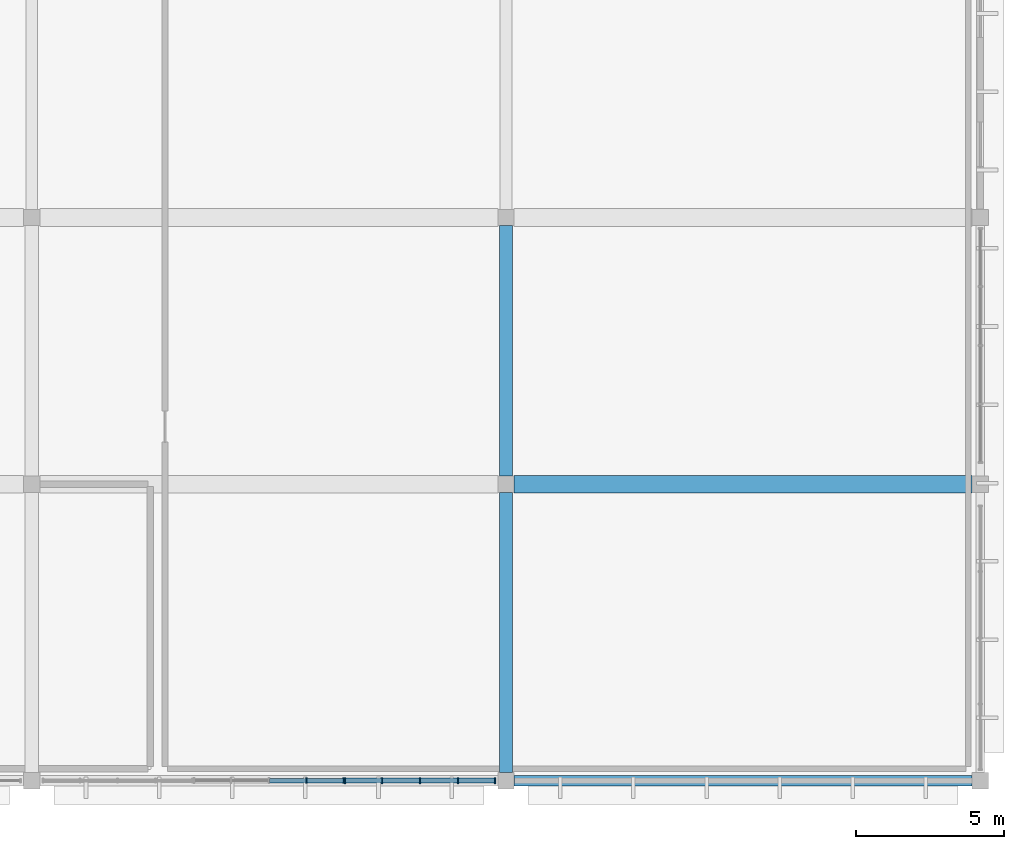
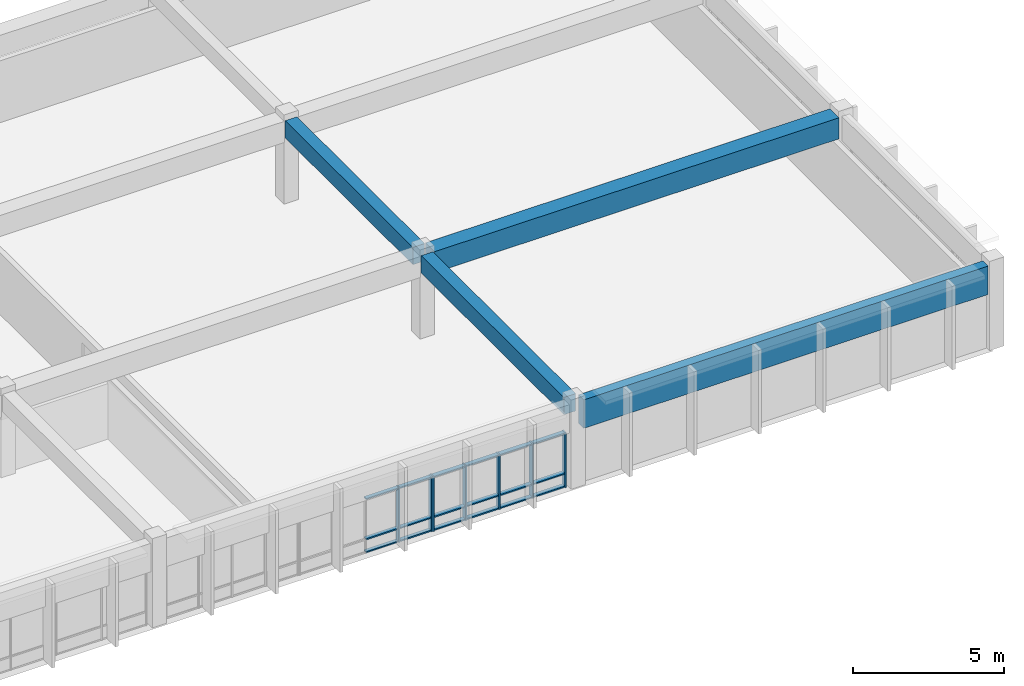
# One storey, part 33 of 77: 25 members, 4 beams, 2 elements without a shape of their own.
"""IFC4 building model written with IfcOpenShell, lengths in metres."""

from ifc_helpers import new_model, si_unit, direction, frame, origin, origin_2d, place, context, subcontext, project, spatial, rectangle, extrude, material, material_profile, profile_set, type_object, element, aggregate, save


model = new_model("IFC4")

# Units and contexts
model_context = context("Model", 3, precision=1e-05, world=origin(), true_north=direction((0.0, 1.0)))
body_context = subcontext(model_context, "Body", "Model", "MODEL_VIEW")
ifc_project = project(units=[si_unit("LENGTHUNIT", "METRE"), si_unit("AREAUNIT", "SQUARE_METRE"), si_unit("VOLUMEUNIT", "CUBIC_METRE"), si_unit("PLANEANGLEUNIT", "RADIAN"), si_unit("MASSUNIT", "GRAM", prefix="KILO")], contexts=[model_context])

# Site, building, storey
site_placement = place(None, origin())
site = spatial("IfcSite", under=ifc_project, at=site_placement, CompositionType="ELEMENT")
building_placement = place(site_placement, origin())
building = spatial("IfcBuilding", under=site, at=building_placement, Name="Larkveld Mobility Hub", CompositionType="ELEMENT")
storey_placement = place(building_placement, frame((0.0, 0.0, 12.0)))
storey = spatial("IfcBuildingStorey", under=building, at=storey_placement, Name="L03", CompositionType="ELEMENT", Elevation=12.0)

# Beams
ifc_material_1 = material(Name="Precast concrete C50/60", Category="concrete")
ifc_material_profile_1 = material_profile(ifc_material_1, rectangle(XDim=0.60009765625, YDim=0.85009765625, at=origin_2d()), Name="PC ITB 600x850")
ifc_profile_set_1 = profile_set([ifc_material_profile_1], Name="Precast concrete C50/60")
beam_type_1 = type_object("IfcBeamType", Name="BM-ITB6085", PredefinedType="T_BEAM", material=ifc_profile_set_1)
beam_1_placement = place(storey_placement, frame((168.27490234375, 10.0, 2.93505859375), z_axis=(1.0, 0.0, 0.0), x_axis=(0.0, 1.0, 0.0)))
element("IfcBeam", 1, at=beam_1_placement, inside=storey, type_object=beam_type_1, Name="Primary E-W Girder L03-0705", PredefinedType="T_BEAM", context=body_context, shape_type="SweptSolid", body=[
    extrude(rectangle(XDim=0.60009765625, YDim=0.85009765625, at=origin_2d()), origin(), (0.0, 0.0, 1.0), 15.4501953125),
])
ifc_material_2 = material(Name="Concrete C40/50", Category="concrete")
ifc_material_profile_2 = material_profile(ifc_material_2, rectangle(XDim=0.449951171875, YDim=0.699951171875, at=origin_2d()), Name="RC BM 450x700")
ifc_profile_set_2 = profile_set([ifc_material_profile_2], Name="Concrete C40/50")
beam_type_2 = type_object("IfcBeamType", Name="BM-RC4570", PredefinedType="BEAM", material=ifc_profile_set_2)
beam_2_placement = place(storey_placement, frame((168.0, 0.27490234375, 3.010009765625), z_axis=(0.0, 1.0, 0.0), x_axis=(-1.0, 0.0, 0.0)))
element("IfcBeam", 2, at=beam_2_placement, inside=storey, type_object=beam_type_2, Name="Primary N-S Girder L03-0849", PredefinedType="BEAM", context=body_context, shape_type="SweptSolid", body=[
    extrude(rectangle(XDim=0.449951171875, YDim=0.699951171875, at=origin_2d()), origin(), (0.0, 0.0, 1.0), 9.4501953125),
])
beam_3_placement = place(storey_placement, frame((168.0, 10.27490234375, 3.010009765625), z_axis=(0.0, 1.0, 0.0), x_axis=(-1.0, 0.0, 0.0)))
element("IfcBeam", 3, at=beam_3_placement, inside=storey, type_object=beam_type_2, Name="Primary N-S Girder L03-0850", PredefinedType="BEAM", context=body_context, shape_type="SweptSolid", body=[
    extrude(rectangle(XDim=0.449951171875, YDim=0.699951171875, at=origin_2d()), origin(), (0.0, 0.0, 1.0), 8.4501953125),
])
ifc_material_profile_3 = material_profile(ifc_material_1, rectangle(XDim=0.35009765625, YDim=1.14990234375, at=origin_2d()), Name="PC SP 350x1150")
ifc_profile_set_3 = profile_set([ifc_material_profile_3], Name="Precast concrete C50/60")
beam_type_3 = type_object("IfcBeamType", Name="BM-SP35115", PredefinedType="SPANDREL", material=ifc_profile_set_3)
beam_4_placement = place(storey_placement, frame((168.27490234375, 0.0, 2.784912109375), z_axis=(1.0, 0.0, 0.0), x_axis=(0.0, 1.0, 0.0)))
element("IfcBeam", 4, at=beam_4_placement, inside=storey, type_object=beam_type_3, Name="Primary E-W Girder L03-0698", PredefinedType="SPANDREL", context=body_context, shape_type="SweptSolid", body=[
    extrude(rectangle(XDim=0.35009765625, YDim=1.14990234375, at=origin_2d()), origin(), (0.0, 0.0, 1.0), 15.4501953125),
])

# Curtain wall, members
ifc_material_3 = material(Name="Anodised aluminium 6063-T6", Category="aluminium")
curtain_wall_type_1 = type_object("IfcCurtainWallType", Name="CW-SYS-10", PredefinedType="NOTDEFINED", material=ifc_material_3)
curtain_wall_1_placement = place(storey_placement, origin())
curtain_wall_1 = element("IfcCurtainWall", 5, at=curtain_wall_1_placement, inside=storey, type_object=curtain_wall_type_1, Name="Service Wing South Glazing L03 CW-118", PredefinedType="NOTDEFINED")
ifc_material_profile_4 = material_profile(ifc_material_3, rectangle(XDim=0.050048828125, YDim=0.179931640625, at=origin_2d()), Name="ALU MULL 50x180")
ifc_profile_set_4 = profile_set([ifc_material_profile_4], Name="Anodised aluminium 6063-T6")
member_type_1 = type_object("IfcMemberType", Name="CW-MUL-02", PredefinedType="MULLION", material=ifc_profile_set_4)
member_1_placement = place(storey_placement, frame((161.27490234375, 0.0, -0.001953125), z_axis=(0.0, 0.0, 1.0), x_axis=(1.0, 0.0, 0.0)))
member_1 = element("IfcMember", 6, at=member_1_placement, type_object=member_type_1, Name="CW10 mullion 4", PredefinedType="MULLION", context=body_context, shape_type="SweptSolid", body=[
    extrude(rectangle(XDim=0.050048828125, YDim=0.179931640625, at=origin_2d()), origin(), (0.0, 0.0, 1.0), 2.2119140625),
])
member_2_placement = place(storey_placement, frame((162.52490234375, 0.0, -0.001953125), z_axis=(0.0, 0.0, 1.0), x_axis=(1.0, 0.0, 0.0)))
member_2 = element("IfcMember", 7, at=member_2_placement, type_object=member_type_1, Name="CW10 mullion 5", PredefinedType="MULLION", context=body_context, shape_type="SweptSolid", body=[
    extrude(rectangle(XDim=0.050048828125, YDim=0.179931640625, at=origin_2d()), origin(), (0.0, 0.0, 1.0), 2.2119140625),
])

curtain_wall_type_2 = type_object("IfcCurtainWallType", Name="CW-SYS-11", PredefinedType="NOTDEFINED", material=ifc_material_3)
curtain_wall_2_placement = place(storey_placement, origin())
curtain_wall_2 = element("IfcCurtainWall", 8, at=curtain_wall_2_placement, inside=storey, type_object=curtain_wall_type_2, Name="Service Wing South Glazing L03 CW-119", PredefinedType="NOTDEFINED")
ifc_material_profile_5 = material_profile(ifc_material_3, rectangle(XDim=0.050048828125, YDim=0.2099609375, at=origin_2d()), Name="ALU MULL 50x210")
ifc_profile_set_5 = profile_set([ifc_material_profile_5], Name="Anodised aluminium 6063-T6")
member_type_2 = type_object("IfcMemberType", Name="CW-MUL-03", PredefinedType="MULLION", material=ifc_profile_set_5)
member_3_placement = place(storey_placement, frame((162.574951171875, 0.0, -0.001953125), z_axis=(0.0, 0.0, 1.0), x_axis=(1.0, 0.0, 0.0)))
member_3 = element("IfcMember", 9, at=member_3_placement, type_object=member_type_2, Name="CW11 mullion 1", PredefinedType="MULLION", context=body_context, shape_type="SweptSolid", body=[
    extrude(rectangle(XDim=0.050048828125, YDim=0.2099609375, at=origin_2d()), origin(), (0.0, 0.0, 1.0), 2.2119140625),
])
member_4_placement = place(storey_placement, frame((163.824951171875, 0.0, -0.001953125), z_axis=(0.0, 0.0, 1.0), x_axis=(1.0, 0.0, 0.0)))
member_4 = element("IfcMember", 10, at=member_4_placement, type_object=member_type_2, Name="CW11 mullion 2", PredefinedType="MULLION", context=body_context, shape_type="SweptSolid", body=[
    extrude(rectangle(XDim=0.050048828125, YDim=0.2099609375, at=origin_2d()), origin(), (0.0, 0.0, 1.0), 2.2119140625),
])
member_5_placement = place(storey_placement, frame((165.10009765625, 0.0, -0.001953125), z_axis=(0.0, 0.0, 1.0), x_axis=(1.0, 0.0, 0.0)))
member_5 = element("IfcMember", 11, at=member_5_placement, type_object=member_type_2, Name="CW11 mullion 3", PredefinedType="MULLION", context=body_context, shape_type="SweptSolid", body=[
    extrude(rectangle(XDim=0.050048828125, YDim=0.2099609375, at=origin_2d()), origin(), (0.0, 0.0, 1.0), 2.2119140625),
])
member_6_placement = place(storey_placement, frame((166.375, 0.0, -0.001953125), z_axis=(0.0, 0.0, 1.0), x_axis=(1.0, 0.0, 0.0)))
member_6 = element("IfcMember", 12, at=member_6_placement, type_object=member_type_2, Name="CW11 mullion 4", PredefinedType="MULLION", context=body_context, shape_type="SweptSolid", body=[
    extrude(rectangle(XDim=0.050048828125, YDim=0.2099609375, at=origin_2d()), origin(), (0.0, 0.0, 1.0), 2.2119140625),
])
member_7_placement = place(storey_placement, frame((167.625, 0.0, -0.001953125), z_axis=(0.0, 0.0, 1.0), x_axis=(1.0, 0.0, 0.0)))
member_7 = element("IfcMember", 13, at=member_7_placement, type_object=member_type_2, Name="CW11 mullion 5", PredefinedType="MULLION", context=body_context, shape_type="SweptSolid", body=[
    extrude(rectangle(XDim=0.050048828125, YDim=0.2099609375, at=origin_2d()), origin(), (0.0, 0.0, 1.0), 2.2119140625),
])

# Member
ifc_material_profile_6 = material_profile(ifc_material_3, rectangle(XDim=0.14990234375, YDim=0.050048828125, at=origin_2d()), Name="ALU TRAN 50x150")
ifc_profile_set_6 = profile_set([ifc_material_profile_6], Name="Anodised aluminium 6063-T6")
member_type_3 = type_object("IfcMemberType", Name="CW-TRN-02", PredefinedType="USERDEFINED", material=ifc_profile_set_6)
member_8_placement = place(storey_placement, frame((160.014892578125, 0.0, 0.030029296875), z_axis=(1.0, 0.0, 0.0), x_axis=(0.0, 1.0, 0.0)))
member_8 = element("IfcMember", 14, at=member_8_placement, type_object=member_type_3, Name="CW10 transom 3.1", ObjectType="TRANSOM", PredefinedType="USERDEFINED", context=body_context, shape_type="SweptSolid", body=[
    extrude(rectangle(XDim=0.14990234375, YDim=0.050048828125, at=origin_2d()), origin(), (0.0, 0.0, 1.0), 1.2451171875),
])

member_9_placement = place(storey_placement, frame((160.014892578125, 0.0, 0.552001953125), z_axis=(1.0, 0.0, 0.0), x_axis=(0.0, 1.0, 0.0)))
member_9 = element("IfcMember", 15, at=member_9_placement, type_object=member_type_3, Name="CW10 transom 3.2", ObjectType="TRANSOM", PredefinedType="USERDEFINED", context=body_context, shape_type="SweptSolid", body=[
    extrude(rectangle(XDim=0.14990234375, YDim=0.050048828125, at=origin_2d()), origin(), (0.0, 0.0, 1.0), 1.2451171875),
])

member_10_placement = place(storey_placement, frame((160.014892578125, 0.0, 2.177978515625), z_axis=(1.0, 0.0, 0.0), x_axis=(0.0, 1.0, 0.0)))
member_10 = element("IfcMember", 16, at=member_10_placement, type_object=member_type_3, Name="CW10 transom 3.3", ObjectType="TRANSOM", PredefinedType="USERDEFINED", context=body_context, shape_type="SweptSolid", body=[
    extrude(rectangle(XDim=0.14990234375, YDim=0.050048828125, at=origin_2d()), origin(), (0.0, 0.0, 1.0), 1.2451171875),
])

member_11_placement = place(storey_placement, frame((161.2900390625, 0.0, 0.030029296875), z_axis=(1.0, 0.0, 0.0), x_axis=(0.0, 1.0, 0.0)))
member_11 = element("IfcMember", 17, at=member_11_placement, type_object=member_type_3, Name="CW10 transom 4.1", ObjectType="TRANSOM", PredefinedType="USERDEFINED", context=body_context, shape_type="SweptSolid", body=[
    extrude(rectangle(XDim=0.14990234375, YDim=0.050048828125, at=origin_2d()), origin(), (0.0, 0.0, 1.0), 1.224853515625),
])

member_12_placement = place(storey_placement, frame((161.2900390625, 0.0, 0.552001953125), z_axis=(1.0, 0.0, 0.0), x_axis=(0.0, 1.0, 0.0)))
member_12 = element("IfcMember", 18, at=member_12_placement, type_object=member_type_3, Name="CW10 transom 4.2", ObjectType="TRANSOM", PredefinedType="USERDEFINED", context=body_context, shape_type="SweptSolid", body=[
    extrude(rectangle(XDim=0.14990234375, YDim=0.050048828125, at=origin_2d()), origin(), (0.0, 0.0, 1.0), 1.224853515625),
])

member_13_placement = place(storey_placement, frame((161.2900390625, 0.0, 2.177978515625), z_axis=(1.0, 0.0, 0.0), x_axis=(0.0, 1.0, 0.0)))
member_13 = element("IfcMember", 19, at=member_13_placement, type_object=member_type_3, Name="CW10 transom 4.3", ObjectType="TRANSOM", PredefinedType="USERDEFINED", context=body_context, shape_type="SweptSolid", body=[
    extrude(rectangle(XDim=0.14990234375, YDim=0.050048828125, at=origin_2d()), origin(), (0.0, 0.0, 1.0), 1.224853515625),
])

aggregate(curtain_wall_1, [member_1, member_2, member_8, member_9, member_10, member_11, member_12, member_13])

ifc_material_profile_7 = material_profile(ifc_material_3, rectangle(XDim=0.169921875, YDim=0.050048828125, at=origin_2d()), Name="ALU TRAN 50x170")
ifc_profile_set_7 = profile_set([ifc_material_profile_7], Name="Anodised aluminium 6063-T6")
member_type_4 = type_object("IfcMemberType", Name="CW-TRN-03", PredefinedType="USERDEFINED", material=ifc_profile_set_7)
member_14_placement = place(storey_placement, frame((162.5849609375, 0.0, 0.030029296875), z_axis=(1.0, 0.0, 0.0), x_axis=(0.0, 1.0, 0.0)))
member_14 = element("IfcMember", 20, at=member_14_placement, type_object=member_type_4, Name="CW11 transom 1.1", ObjectType="TRANSOM", PredefinedType="USERDEFINED", context=body_context, shape_type="SweptSolid", body=[
    extrude(rectangle(XDim=0.169921875, YDim=0.050048828125, at=origin_2d()), origin(), (0.0, 0.0, 1.0), 1.22509765625),
])

member_15_placement = place(storey_placement, frame((162.5849609375, 0.0, 0.552001953125), z_axis=(1.0, 0.0, 0.0), x_axis=(0.0, 1.0, 0.0)))
member_15 = element("IfcMember", 21, at=member_15_placement, type_object=member_type_4, Name="CW11 transom 1.2", ObjectType="TRANSOM", PredefinedType="USERDEFINED", context=body_context, shape_type="SweptSolid", body=[
    extrude(rectangle(XDim=0.169921875, YDim=0.050048828125, at=origin_2d()), origin(), (0.0, 0.0, 1.0), 1.22509765625),
])

member_16_placement = place(storey_placement, frame((162.5849609375, 0.0, 2.177978515625), z_axis=(1.0, 0.0, 0.0), x_axis=(0.0, 1.0, 0.0)))
member_16 = element("IfcMember", 22, at=member_16_placement, type_object=member_type_4, Name="CW11 transom 1.3", ObjectType="TRANSOM", PredefinedType="USERDEFINED", context=body_context, shape_type="SweptSolid", body=[
    extrude(rectangle(XDim=0.169921875, YDim=0.050048828125, at=origin_2d()), origin(), (0.0, 0.0, 1.0), 1.22509765625),
])

member_17_placement = place(storey_placement, frame((163.840087890625, 0.0, 0.030029296875), z_axis=(1.0, 0.0, 0.0), x_axis=(0.0, 1.0, 0.0)))
member_17 = element("IfcMember", 23, at=member_17_placement, type_object=member_type_4, Name="CW11 transom 2.1", ObjectType="TRANSOM", PredefinedType="USERDEFINED", context=body_context, shape_type="SweptSolid", body=[
    extrude(rectangle(XDim=0.169921875, YDim=0.050048828125, at=origin_2d()), origin(), (0.0, 0.0, 1.0), 1.244873046875),
])

member_18_placement = place(storey_placement, frame((163.840087890625, 0.0, 0.552001953125), z_axis=(1.0, 0.0, 0.0), x_axis=(0.0, 1.0, 0.0)))
member_18 = element("IfcMember", 24, at=member_18_placement, type_object=member_type_4, Name="CW11 transom 2.2", ObjectType="TRANSOM", PredefinedType="USERDEFINED", context=body_context, shape_type="SweptSolid", body=[
    extrude(rectangle(XDim=0.169921875, YDim=0.050048828125, at=origin_2d()), origin(), (0.0, 0.0, 1.0), 1.244873046875),
])

member_19_placement = place(storey_placement, frame((163.840087890625, 0.0, 2.177978515625), z_axis=(1.0, 0.0, 0.0), x_axis=(0.0, 1.0, 0.0)))
member_19 = element("IfcMember", 25, at=member_19_placement, type_object=member_type_4, Name="CW11 transom 2.3", ObjectType="TRANSOM", PredefinedType="USERDEFINED", context=body_context, shape_type="SweptSolid", body=[
    extrude(rectangle(XDim=0.169921875, YDim=0.050048828125, at=origin_2d()), origin(), (0.0, 0.0, 1.0), 1.244873046875),
])

member_20_placement = place(storey_placement, frame((165.114990234375, 0.0, 0.030029296875), z_axis=(1.0, 0.0, 0.0), x_axis=(0.0, 1.0, 0.0)))
member_20 = element("IfcMember", 26, at=member_20_placement, type_object=member_type_4, Name="CW11 transom 3.1", ObjectType="TRANSOM", PredefinedType="USERDEFINED", context=body_context, shape_type="SweptSolid", body=[
    extrude(rectangle(XDim=0.169921875, YDim=0.050048828125, at=origin_2d()), origin(), (0.0, 0.0, 1.0), 1.2451171875),
])

member_21_placement = place(storey_placement, frame((165.114990234375, 0.0, 0.552001953125), z_axis=(1.0, 0.0, 0.0), x_axis=(0.0, 1.0, 0.0)))
member_21 = element("IfcMember", 27, at=member_21_placement, type_object=member_type_4, Name="CW11 transom 3.2", ObjectType="TRANSOM", PredefinedType="USERDEFINED", context=body_context, shape_type="SweptSolid", body=[
    extrude(rectangle(XDim=0.169921875, YDim=0.050048828125, at=origin_2d()), origin(), (0.0, 0.0, 1.0), 1.2451171875),
])

member_22_placement = place(storey_placement, frame((165.114990234375, 0.0, 2.177978515625), z_axis=(1.0, 0.0, 0.0), x_axis=(0.0, 1.0, 0.0)))
member_22 = element("IfcMember", 28, at=member_22_placement, type_object=member_type_4, Name="CW11 transom 3.3", ObjectType="TRANSOM", PredefinedType="USERDEFINED", context=body_context, shape_type="SweptSolid", body=[
    extrude(rectangle(XDim=0.169921875, YDim=0.050048828125, at=origin_2d()), origin(), (0.0, 0.0, 1.0), 1.2451171875),
])

member_23_placement = place(storey_placement, frame((166.389892578125, 0.0, 0.030029296875), z_axis=(1.0, 0.0, 0.0), x_axis=(0.0, 1.0, 0.0)))
member_23 = element("IfcMember", 29, at=member_23_placement, type_object=member_type_4, Name="CW11 transom 4.1", ObjectType="TRANSOM", PredefinedType="USERDEFINED", context=body_context, shape_type="SweptSolid", body=[
    extrude(rectangle(XDim=0.169921875, YDim=0.050048828125, at=origin_2d()), origin(), (0.0, 0.0, 1.0), 1.22509765625),
])

member_24_placement = place(storey_placement, frame((166.389892578125, 0.0, 0.552001953125), z_axis=(1.0, 0.0, 0.0), x_axis=(0.0, 1.0, 0.0)))
member_24 = element("IfcMember", 30, at=member_24_placement, type_object=member_type_4, Name="CW11 transom 4.2", ObjectType="TRANSOM", PredefinedType="USERDEFINED", context=body_context, shape_type="SweptSolid", body=[
    extrude(rectangle(XDim=0.169921875, YDim=0.050048828125, at=origin_2d()), origin(), (0.0, 0.0, 1.0), 1.22509765625),
])

member_25_placement = place(storey_placement, frame((166.389892578125, 0.0, 2.177978515625), z_axis=(1.0, 0.0, 0.0), x_axis=(0.0, 1.0, 0.0)))
member_25 = element("IfcMember", 31, at=member_25_placement, type_object=member_type_4, Name="CW11 transom 4.3", ObjectType="TRANSOM", PredefinedType="USERDEFINED", context=body_context, shape_type="SweptSolid", body=[
    extrude(rectangle(XDim=0.169921875, YDim=0.050048828125, at=origin_2d()), origin(), (0.0, 0.0, 1.0), 1.22509765625),
])

aggregate(curtain_wall_2, [member_3, member_4, member_5, member_6, member_7, member_14, member_15, member_16, member_17, member_18, member_19, member_20, member_21, member_22, member_23, member_24, member_25])

save(model, "model.ifc")
